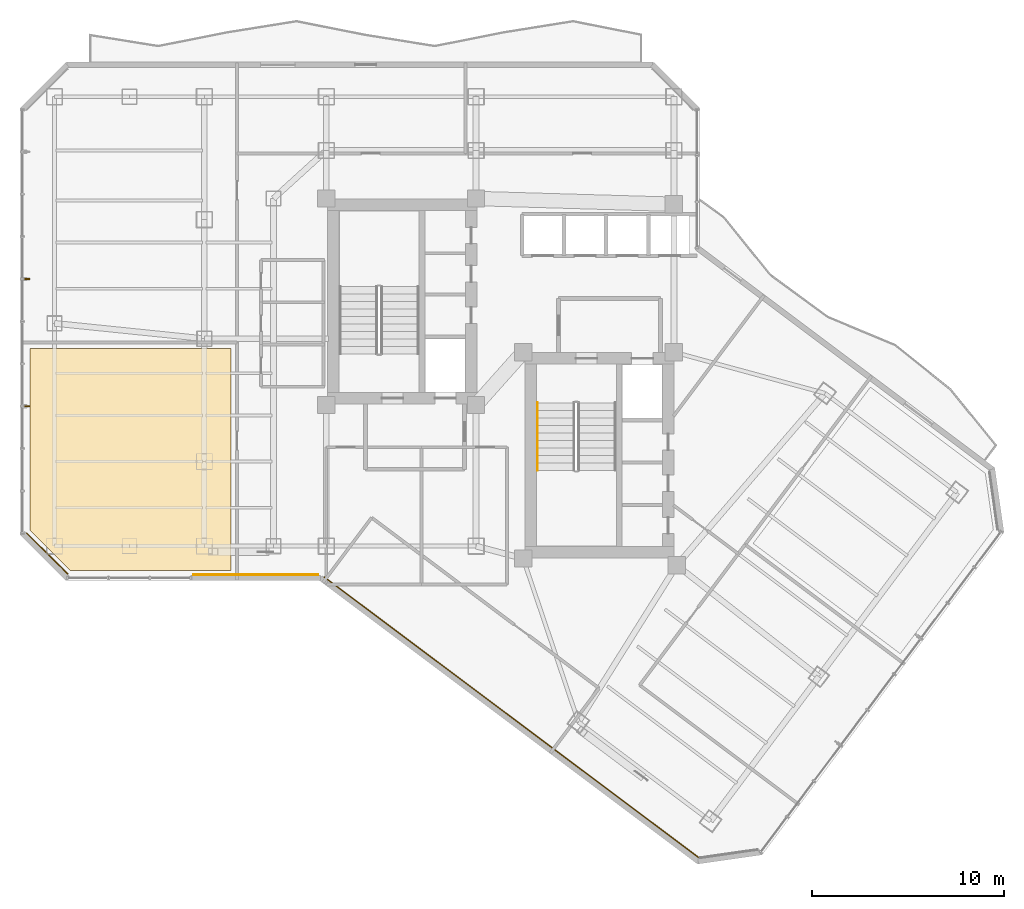
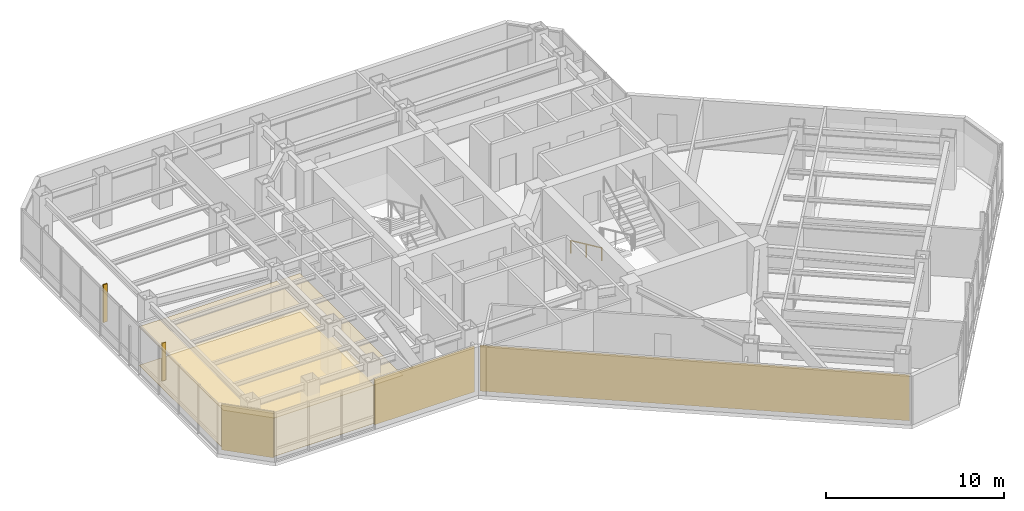
# One storey, part 25 of 28: 5 coverings, 2 shading devices, 1 railing.
"""IFC4 building model written with IfcOpenShell, lengths in metres."""

from ifc_helpers import new_model, si_unit, direction, frame, origin, origin_2d, place, context, subcontext, project, spatial, polyline, rectangle, circle, outline, extrude, material, layer, layer_set, type_object, element, save


model = new_model("IFC4")

# Units and contexts
model_context = context("Model", 3, precision=1e-05, world=origin(), true_north=direction((0.0, 1.0)))
body_context = subcontext(model_context, "Body", "Model", "MODEL_VIEW")
ifc_project = project(units=[si_unit("LENGTHUNIT", "METRE"), si_unit("AREAUNIT", "SQUARE_METRE"), si_unit("VOLUMEUNIT", "CUBIC_METRE"), si_unit("PLANEANGLEUNIT", "RADIAN"), si_unit("MASSUNIT", "GRAM", prefix="KILO")], contexts=[model_context])

# Site, building, storey
site_placement = place(None, origin())
site = spatial("IfcSite", under=ifc_project, at=site_placement, CompositionType="ELEMENT")
building_placement = place(site_placement, origin())
building = spatial("IfcBuilding", under=site, at=building_placement, Name="Hatsunagi Terrace Concourse", CompositionType="ELEMENT")
storey_placement = place(building_placement, frame((0.0, 0.0, 138.449951171875)))
storey = spatial("IfcBuildingStorey", under=building, at=storey_placement, Name="L36", CompositionType="ELEMENT", Elevation=138.449951171875)

# Covering
ifc_material_1 = material(Name="Hardwood timber", Category="wood")
ifc_layer_1 = layer(ifc_material_1, 0.014892578125)
ifc_layer_set_1 = layer_set([ifc_layer_1], Name="HardwoodTimberFlooring_15")
covering_type_1 = type_object("IfcCoveringType", Name="HardwoodTimberFlooring_15", PredefinedType="FLOORING", material=ifc_layer_set_1)
covering_1_placement = place(storey_placement, origin())
element("IfcCovering", 1, at=covering_1_placement, inside=storey, type_object=covering_type_1, Name="Finished Flooring L36-1", PredefinedType="FLOORING", context=body_context, shape_type="SweptSolid", body=[
    extrude(outline(polyline([(12.219970703125, 23.929931640625), (20.60009765625, 23.929931640625), (20.60009765625, 35.5), (10.1298828125, 35.5), (10.1298828125, 26.02001953125), (12.219970703125, 23.929931640625)])), origin(), (0.0, 0.0, 1.0), 0.01513671875),
])

# Railing
ifc_material_2 = material(Name="Stainless steel", Category="steel")
ifc_layer_2 = layer(ifc_material_2, 0.044921875)
ifc_layer_set_2 = layer_set([ifc_layer_2], Name="StairPitchHandrail_Tower2000")
railing_type = type_object("IfcRailingType", Name="StairPitchHandrail_Tower2000", PredefinedType="HANDRAIL", material=ifc_layer_set_2)
railing_placement = place(storey_placement, frame((36.550048828125, 32.659912109375, 0.179931640625)))
element("IfcRailing", 2, at=railing_placement, inside=storey, type_object=railing_type, Name="L36 ST-B stair handrail 1", PredefinedType="HANDRAIL", context=body_context, shape_type="SweptSolid", body=[
    extrude(circle(Radius=0.02392578125, at=origin_2d()), frame((0.0, 0.0, 0.8759765625), z_axis=(0.0, -0.907948293929, 0.419082206198), x_axis=(1.0, 0.0, 0.0)), (0.0, 0.0, 1.0), 3.865966796875),
    extrude(circle(Radius=0.02099609375, at=origin_2d()), origin(), (0.0, 0.0, 1.0), 0.851806640625),
    extrude(circle(Radius=0.02099609375, at=origin_2d()), frame((0.0, -1.7548828125, 0.81005859375)), (0.0, 0.0, 1.0), 0.851806640625),
    extrude(circle(Radius=0.02099609375, at=origin_2d()), frame((0.0, -3.510009765625, 1.6201171875)), (0.0, 0.0, 1.0), 0.851806640625),
])

# Shading devices
ifc_material_3 = material(Name="Extruded Unglazed Terracotta Baguette", Category="masonry")
shading_device_type = type_object("IfcShadingDeviceType", Name="TerracottaFinScreen_260x70", PredefinedType="USERDEFINED", material=ifc_material_3)
for number, where, z_axis, x_axis, name in (
    (3, (9.989990234375, 32.48291015625, 0.85009765625), (0.0, 0.0, 1.0), (0.0, 1.0, 0.0), "Terracotta Baguette Fin Screen SCR-01"),
    (4, (9.989990234375, 39.10791015625, 0.85009765625), (0.0, 0.0, 1.0), (0.0, 1.0, 0.0), "Terracotta Baguette Fin Screen SCR-01"),
):
    element("IfcShadingDevice", number, at=place(storey_placement, frame(where, z_axis=z_axis, x_axis=x_axis)), inside=storey, type_object=shading_device_type, Name=name, ObjectType="SUNSHADE", PredefinedType="USERDEFINED", context=body_context, shape_type="SweptSolid", body=[
        extrude(rectangle(XDim=0.070068359375, YDim=0.260009765625, at=origin_2d()), origin(), (0.0, 0.0, 1.0), 2.60009765625),
    ])

# Coverings
ifc_material_4 = material(Name="Unglazed Warm Terracotta Rainscreen Tile", Category="masonry")
ifc_layer_3 = layer(ifc_material_4, 0.044921875)
ifc_layer_set_3 = layer_set([ifc_layer_3], Name="TerracottaRainscreenCladding_45")
covering_type_2 = type_object("IfcCoveringType", Name="TerracottaRainscreenCladding_45", PredefinedType="CLADDING", material=ifc_layer_set_3)
covering_2_placement = place(storey_placement, frame((35.179931640625, 16.29296875, 0.10009765625), z_axis=(0.0, 0.0, 1.0), x_axis=(-0.800005211305, 0.599993051531, 0.0)))
element("IfcCovering", 5, at=covering_2_placement, inside=storey, type_object=covering_type_2, Name="Terracotta Rainscreen Cladding L36-05", PredefinedType="CLADDING", context=body_context, shape_type="SweptSolid", body=[
    extrude(rectangle(XDim=24.34912109375, YDim=0.044921875, at=origin_2d()), origin(), (0.0, 0.0, 1.0), 3.14990234375),
])
covering_3_placement = place(storey_placement, frame((21.873046875, 23.701904296875, 0.10009765625), z_axis=(0.0, 0.0, 1.0), x_axis=(-1.0, 0.0, 0.0)))
element("IfcCovering", 6, at=covering_3_placement, inside=storey, type_object=covering_type_2, Name="Terracotta Rainscreen Cladding L36-06", PredefinedType="CLADDING", context=body_context, shape_type="SweptSolid", body=[
    extrude(rectangle(XDim=6.507080078125, YDim=0.044921875, at=origin_2d()), origin(), (0.0, 0.0, 1.0), 3.14990234375),
])
covering_4_placement = place(storey_placement, frame((11.013916015625, 24.81396484375, 0.10009765625), z_axis=(0.0, 0.0, 1.0), x_axis=(-0.707106781187, 0.707106781187, 0.0)))
element("IfcCovering", 7, at=covering_4_placement, inside=storey, type_object=covering_type_2, Name="Terracotta Rainscreen Cladding L36-08", PredefinedType="CLADDING", context=body_context, shape_type="SweptSolid", body=[
    extrude(rectangle(XDim=3.0380859375, YDim=0.044921875, at=origin_2d()), origin(), (0.0, 0.0, 1.0), 3.14990234375),
])
ifc_material_5 = material(Name="Hardwood timber", Category="wood")
ifc_layer_4 = layer(ifc_material_5, 0.034912109375)
ifc_layer_set_4 = layer_set([ifc_layer_4], Name="TimberBaffleCeiling_35")
covering_type_3 = type_object("IfcCoveringType", Name="TimberBaffleCeiling_35", PredefinedType="CEILING", material=ifc_layer_set_4)
covering_5_placement = place(storey_placement, frame((0.0, 0.0, 2.630126953125)))
element("IfcCovering", 8, at=covering_5_placement, inside=storey, type_object=covering_type_3, Name="Suspended Ceiling L36-1", PredefinedType="CEILING", context=body_context, shape_type="SweptSolid", body=[
    extrude(outline(polyline([(12.219970703125, 23.929931640625), (20.60009765625, 23.929931640625), (20.60009765625, 35.5), (10.1298828125, 35.5), (10.1298828125, 26.02001953125), (12.219970703125, 23.929931640625)])), origin(), (0.0, 0.0, 1.0), 0.034912109375),
])

save(model, "model.ifc")
